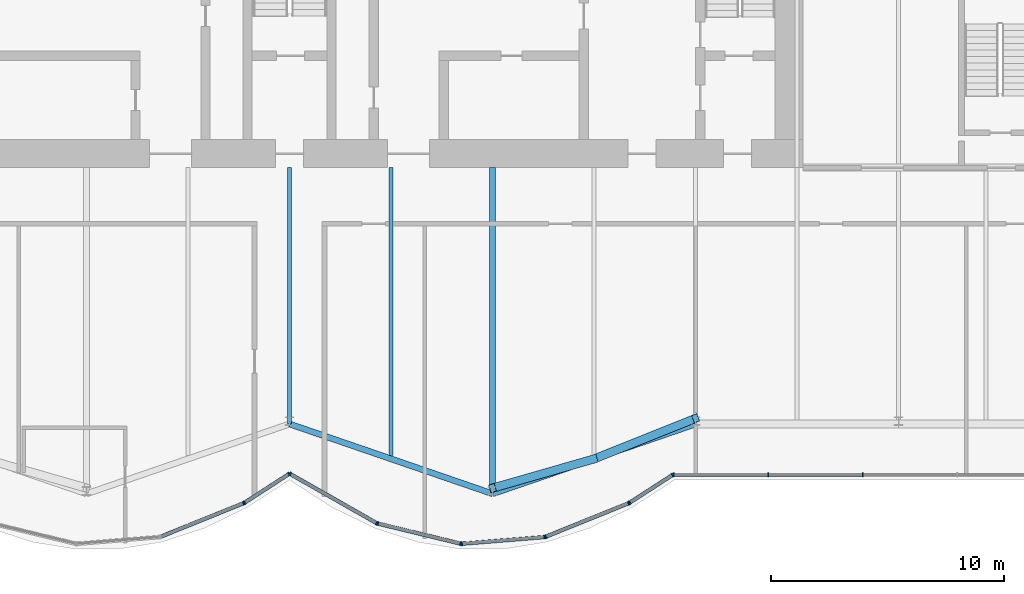
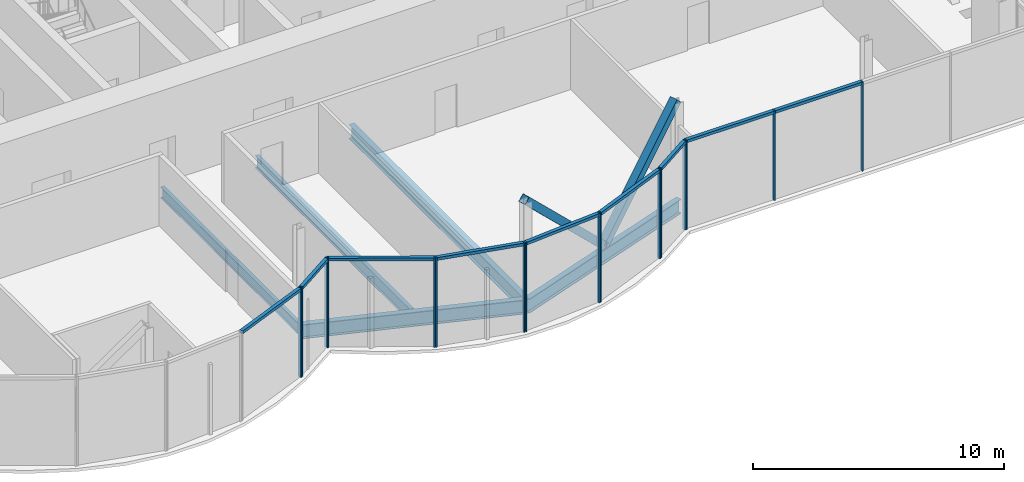
# One storey, part 8 of 18: 27 members, 5 beams, 3 elements without a shape of their own.
"""IFC4 building model written with IfcOpenShell, lengths in metres."""

import ifcopenshell
import ifcopenshell.guid

model = None  # the IFC model being written
_history = None  # IfcOwnerHistory: only IFC2X3 demands one
_inside = {}  # id of a spatial element -> (the spatial element, [elements in it])
_under = {}  # id of a project, library or spatial element -> (it, [spatial elements below it])
_declared = {}  # id of a project -> (the project, [libraries it declares])
_typed = {}  # id of a type object -> (the type object, [elements of that type])
_made_of = {}  # id of a material, layer set ... -> (it, [elements and type objects made of it])


def new_model(schema):
    """Start an empty IFC model of exactly this schema.

    Asked for "IFC4X3", IfcOpenShell would pick the latest addendum, in which some entities
    have other attributes; the version numbers below select the first issue.
    IFC2X3 requires an IfcOwnerHistory on every rooted entity: one is made here for all.
    """
    global model, _history
    if schema == "IFC4X3":
        model = ifcopenshell.file(schema_version=(4, 3, 0, 0))
    else:
        model = ifcopenshell.file(schema=schema)
    _inside.clear()
    _under.clear()
    _declared.clear()
    _typed.clear()
    _made_of.clear()
    _history = None
    if model.schema == "IFC2X3":
        org = make("IfcOrganization", Name="unknown")
        user = make(
            "IfcPersonAndOrganization",
            ThePerson=make("IfcPerson", FamilyName="unknown"),
            TheOrganization=org,
        )
        app = make(
            "IfcApplication",
            ApplicationDeveloper=org,
            Version="unknown",
            ApplicationFullName="unknown",
            ApplicationIdentifier="unknown",
        )
        _history = make(
            "IfcOwnerHistory",
            OwningUser=user,
            OwningApplication=app,
            ChangeAction="ADDED",
            CreationDate=0,
        )
    return model


def make(cls, **values):
    """One entity of the class cls with the attributes given. An attribute that is None is left unset."""
    return model.create_entity(
        cls, **{name: value for name, value in values.items() if value is not None}
    )


def rooted(cls, **values):
    """An entity with a GlobalId (a new one), such as an element, a storey or a relation."""
    return make(cls, GlobalId=ifcopenshell.guid.new(), OwnerHistory=_history, **values)


def si_unit(unit_type, name, prefix=None):
    """IfcSIUnit, for example si_unit("LENGTHUNIT", "METRE", prefix="MILLI")."""
    return make("IfcSIUnit", UnitType=unit_type, Prefix=prefix, Name=name)


def assignment(units):
    """IfcUnitAssignment: the units of a project."""
    return None if units is None else make("IfcUnitAssignment", Units=units)


def point(xyz):
    """IfcCartesianPoint."""
    return None if xyz is None else make("IfcCartesianPoint", Coordinates=xyz)


def direction(xyz):
    """IfcDirection."""
    return None if xyz is None else make("IfcDirection", DirectionRatios=xyz)


def frame(location, z_axis=None, x_axis=None):
    """IfcAxis2Placement3D, a coordinate frame: its origin and axes. An axis left out is left unset."""
    return make(
        "IfcAxis2Placement3D",
        Location=point(location),
        Axis=direction(z_axis),
        RefDirection=direction(x_axis),
    )


def frame_2d(location, x_axis=None):
    """IfcAxis2Placement2D, a coordinate frame in the plane: its origin and x axis."""
    return make(
        "IfcAxis2Placement2D", Location=point(location), RefDirection=direction(x_axis)
    )


def origin():
    """The frame at (0, 0, 0) with its axes left unset."""
    return frame((0.0, 0.0, 0.0))


def origin_2d():
    """The frame at (0, 0) in the plane with its x axis left unset."""
    return frame_2d((0.0, 0.0))


def place(relative_to, where):
    """IfcLocalPlacement: puts the frame where relative to a parent placement (None: the world)."""
    return make(
        "IfcLocalPlacement", PlacementRelTo=relative_to, RelativePlacement=where
    )


def context(
    kind, dimensions, precision=None, world=None, true_north=None, identifier=None
):
    """IfcGeometricRepresentationContext, for example the 3D "Model" context."""
    return make(
        "IfcGeometricRepresentationContext",
        ContextIdentifier=identifier,
        ContextType=kind,
        CoordinateSpaceDimension=dimensions,
        Precision=precision,
        WorldCoordinateSystem=world,
        TrueNorth=true_north,
    )


def subcontext(parent, identifier, kind, view, scale=None):
    """IfcGeometricRepresentationSubContext, for example "Body" below "Model"."""
    return make(
        "IfcGeometricRepresentationSubContext",
        ContextIdentifier=identifier,
        ContextType=kind,
        ParentContext=parent,
        TargetScale=scale,
        TargetView=view,
    )


def project(units=None, contexts=None):
    """IfcProject with its units and contexts."""
    return rooted(
        "IfcProject",
        Name="project",
        RepresentationContexts=contexts,
        UnitsInContext=assignment(units),
    )


def spatial(cls, under=None, at=None, **own):
    """A site, building, storey or space (cls), placed at a placement, below another one or the project."""
    s = rooted(cls, ObjectPlacement=at, **own)
    if under is not None:
        _under.setdefault(under.id(), (under, []))[1].append(s)
    return s


def profile(cls, at=None, kind="AREA", **sizes):
    """A parametric profile (cls). Its sizes go by their IFC names, for example OverallWidth=200.0."""
    return make(cls, ProfileType=kind, Position=at, **sizes)


def rectangle(**sizes):
    """IfcRectangleProfileDef."""
    return profile("IfcRectangleProfileDef", **sizes)


def hollow_rectangle(**sizes):
    """IfcRectangleHollowProfileDef."""
    return profile("IfcRectangleHollowProfileDef", **sizes)


def i_section(**sizes):
    """IfcIShapeProfileDef."""
    return profile("IfcIShapeProfileDef", **sizes)


def extrude(swept, where, along, depth):
    """IfcExtrudedAreaSolid: the profile swept, set in the frame where, extruded along a direction by depth."""
    return make(
        "IfcExtrudedAreaSolid",
        SweptArea=swept,
        Position=where,
        ExtrudedDirection=direction(along),
        Depth=depth,
    )


def shape(context_of_items, identifier, shape_type, items):
    """IfcShapeRepresentation: the items that make up one representation, for example the "Body"."""
    return make(
        "IfcShapeRepresentation",
        ContextOfItems=context_of_items,
        RepresentationIdentifier=identifier,
        RepresentationType=shape_type,
        Items=items,
    )


def material(Name=None, Category=None):
    """IfcMaterial."""
    return make("IfcMaterial", Name=Name, Category=Category)


def material_profile(
    of_material, cross_section, Name=None, Category=None, Priority=None
):
    """IfcMaterialProfile: a cross section and its material."""
    return make(
        "IfcMaterialProfile",
        Name=Name,
        Material=of_material,
        Profile=cross_section,
        Priority=Priority,
        Category=Category,
    )


def profile_set(profiles, Name=None, composite=None):
    """IfcMaterialProfileSet."""
    return make(
        "IfcMaterialProfileSet",
        Name=Name,
        MaterialProfiles=profiles,
        CompositeProfile=composite,
    )


def made_of(thing, what):
    """Note that an element or type object is made of a material, layer set ...; save() writes the relation."""
    if what is not None:
        _made_of.setdefault(what.id(), (what, []))[1].append(thing)
    return thing


def type_object(cls, material=None, **own):
    """A type object (cls), such as IfcWallType, which elements share."""
    return made_of(rooted(cls, **own), material)


def element(
    cls,
    number,
    at=None,
    inside=None,
    cuts=None,
    type_object=None,
    material=None,
    context=None,
    identifier="Body",
    shape_type=None,
    held_by="IfcProductDefinitionShape",
    body=None,
    shapes=None,
    **own,
):
    """One element of the class cls, such as IfcWall. Its Tag is "e" and its number.

    at: its placement. inside: the storey or other place that contains it. cuts: it is an
    opening in that element (IfcRelVoidsElement). A single representation is given by context,
    identifier, shape_type and body (its items); several are given by shapes. held_by: the class
    of the entity that holds the representations. save() writes the other relations.
    """
    e = rooted(cls, Tag="e%d" % number, ObjectPlacement=at, **own)
    if body is not None:
        shapes = [shape(context, identifier, shape_type, body)]
    if shapes is not None:
        e.Representation = make(held_by, Representations=shapes)
    if inside is not None:
        _inside.setdefault(inside.id(), (inside, []))[1].append(e)
    if cuts is not None:
        rooted(
            "IfcRelVoidsElement", RelatingBuildingElement=cuts, RelatedOpeningElement=e
        )
    if type_object is not None:
        _typed.setdefault(type_object.id(), (type_object, []))[1].append(e)
    return made_of(e, material)


def aggregate(whole, parts):
    """IfcRelAggregates: a whole, such as a stair, and the parts it consists of."""
    return rooted("IfcRelAggregates", RelatingObject=whole, RelatedObjects=parts)


def save(model, path):
    """Write the relations noted so far, then the file.

    IfcRelAggregates (storeys below a building ...), IfcRelContainedInSpatialStructure (elements
    in a storey), IfcRelDefinesByType, IfcRelAssociatesMaterial and IfcRelDeclares: one each for
    every whole, place, type object, material and project.
    """
    for whole, parts in _under.values():
        aggregate(whole, parts)
    for where, things in _inside.values():
        rooted(
            "IfcRelContainedInSpatialStructure",
            RelatedElements=things,
            RelatingStructure=where,
        )
    for kind, things in _typed.values():
        rooted("IfcRelDefinesByType", RelatedObjects=things, RelatingType=kind)
    for what, things in _made_of.values():
        rooted("IfcRelAssociatesMaterial", RelatedObjects=things, RelatingMaterial=what)
    for by, libraries in _declared.values():
        rooted("IfcRelDeclares", RelatingContext=by, RelatedDefinitions=libraries)
    model.write(path)


model = new_model("IFC4")

# Units and contexts
model_context = context("Model", 3, precision=1e-05, world=origin(), true_north=direction((0.0, 1.0)))
body_context = subcontext(model_context, "Body", "Model", "MODEL_VIEW")
ifc_project = project(units=[si_unit("LENGTHUNIT", "METRE"), si_unit("AREAUNIT", "SQUARE_METRE"), si_unit("VOLUMEUNIT", "CUBIC_METRE"), si_unit("PLANEANGLEUNIT", "RADIAN"), si_unit("MASSUNIT", "GRAM", prefix="KILO")], contexts=[model_context])

# Site, building, storey
site_placement = place(None, origin())
site = spatial("IfcSite", under=ifc_project, at=site_placement, CompositionType="ELEMENT")
building_placement = place(site_placement, origin())
building = spatial("IfcBuilding", under=site, at=building_placement, Name="Bicima Exchange Tower", CompositionType="ELEMENT")
storey_placement = place(building_placement, frame((0.0, 0.0, 311.0)))
storey = spatial("IfcBuildingStorey", under=building, at=storey_placement, Name="L70", CompositionType="ELEMENT", Elevation=311.0)

# Beams
ifc_material_1 = material(Name="Steel ASTM A992 Gr 50", Category="steel")
ifc_material_profile_1 = material_profile(ifc_material_1, i_section(OverallWidth=0.165771484375, OverallDepth=0.5283203125, WebThickness=0.009765625, FlangeThickness=0.013671875, at=origin_2d()))
ifc_profile_set_1 = profile_set([ifc_material_profile_1], Name="Steel ASTM A992 Gr 50")
beam_type_1 = type_object("IfcBeamType", Name="Floor beam W21x50", PredefinedType="JOIST", material=ifc_profile_set_1)
beam_1_placement = place(storey_placement, frame((0.0, -13.0, -0.414306640625), z_axis=(0.0, -1.0, 0.0), x_axis=(1.0, 0.0, 0.0)))
element("IfcBeam", 1, at=beam_1_placement, inside=storey, type_object=beam_type_1, Name="Floor beam", PredefinedType="JOIST", context=body_context, shape_type="SweptSolid", body=[
    extrude(i_section(OverallWidth=0.165771484375, OverallDepth=0.5283203125, WebThickness=0.009765625, FlangeThickness=0.013671875, at=origin_2d()), origin(), (0.0, 0.0, 1.0), 10.98388671875),
])
ifc_material_profile_2 = material_profile(ifc_material_1, i_section(OverallWidth=0.177978515625, OverallDepth=0.599365234375, WebThickness=0.010009765625, FlangeThickness=0.012939453125, at=origin_2d()))
ifc_profile_set_2 = profile_set([ifc_material_profile_2], Name="Steel ASTM A992 Gr 50")
beam_type_2 = type_object("IfcBeamType", Name="Floor beam W24x55", PredefinedType="JOIST", material=ifc_profile_set_2)
beam_2_placement = place(storey_placement, frame((4.35009765625, -13.0, -0.44970703125), z_axis=(0.0, -1.0, 0.0), x_axis=(1.0, 0.0, 0.0)))
element("IfcBeam", 2, at=beam_2_placement, inside=storey, type_object=beam_type_2, Name="Floor beam", PredefinedType="JOIST", context=body_context, shape_type="SweptSolid", body=[
    extrude(i_section(OverallWidth=0.177978515625, OverallDepth=0.599365234375, WebThickness=0.010009765625, FlangeThickness=0.012939453125, at=origin_2d()), origin(), (0.0, 0.0, 1.0), 12.343994140625),
])
ifc_material_profile_3 = material_profile(ifc_material_1, i_section(OverallWidth=0.25390625, OverallDepth=0.67822265625, WebThickness=0.01171875, FlangeThickness=0.016357421875, at=origin_2d()))
ifc_profile_set_3 = profile_set([ifc_material_profile_3], Name="Steel ASTM A992 Gr 50")
beam_type_3 = type_object("IfcBeamType", Name="Floor beam W27x84", PredefinedType="JOIST", material=ifc_profile_set_3)
beam_3_placement = place(storey_placement, frame((8.699951171875, -13.0, -0.489013671875), z_axis=(0.0, -1.0, 0.0), x_axis=(1.0, 0.0, 0.0)))
element("IfcBeam", 3, at=beam_3_placement, inside=storey, type_object=beam_type_3, Name="Floor beam", PredefinedType="JOIST", context=body_context, shape_type="SweptSolid", body=[
    extrude(i_section(OverallWidth=0.25390625, OverallDepth=0.67822265625, WebThickness=0.01171875, FlangeThickness=0.016357421875, at=origin_2d()), origin(), (0.0, 0.0, 1.0), 13.83935546875),
])
ifc_material_profile_4 = material_profile(ifc_material_1, i_section(OverallWidth=0.256591796875, OverallDepth=0.693359375, WebThickness=0.014404296875, FlangeThickness=0.023681640625, at=origin_2d()))
ifc_profile_set_4 = profile_set([ifc_material_profile_4], Name="Steel ASTM A992 Gr 50")
beam_type_4 = type_object("IfcBeamType", Name="Front girder W27x114", PredefinedType="BEAM", material=ifc_profile_set_4)
for number, where, z_axis, x_axis, name in (
    (4, (0.0, -23.98388671875, -0.49658203125), (0.945666456746, -0.325138359143, 0.0), (0.325138359143, 0.945666456746, 0.0), "Front girder"),
    (5, (8.699951171875, -26.97509765625, -0.49658203125), (0.945666456746, 0.325138359143, 0.0), (-0.325138359143, 0.945666456746, 0.0), "Front girder"),
):
    element("IfcBeam", number, at=place(storey_placement, frame(where, z_axis=z_axis, x_axis=x_axis)), inside=storey, type_object=beam_type_4, Name=name, PredefinedType="BEAM", context=body_context, shape_type="SweptSolid", body=[
        extrude(i_section(OverallWidth=0.256591796875, OverallDepth=0.693359375, WebThickness=0.014404296875, FlangeThickness=0.023681640625, at=origin_2d()), origin(), (0.0, 0.0, 1.0), 9.19970703125),
    ])

# Curtain wall, members
ifc_material_2 = material(Name="Anodised bronze aluminium", Category="aluminium")
curtain_wall_type = type_object("IfcCurtainWallType", Name="Front glass wall", PredefinedType="NOTDEFINED", material=ifc_material_2)
curtain_wall_1_placement = place(storey_placement, origin())
curtain_wall_1 = element("IfcCurtainWall", 6, at=curtain_wall_1_placement, inside=storey, type_object=curtain_wall_type, Name="Front glass wall L70 run 6", PredefinedType="NOTDEFINED")
ifc_material_profile_5 = material_profile(ifc_material_2, rectangle(XDim=0.159912109375, YDim=0.06005859375, at=origin_2d()))
ifc_profile_set_5 = profile_set([ifc_material_profile_5], Name="Anodised bronze aluminium")
member_type_1 = type_object("IfcMemberType", Name="Front glass wall mullion 60 x 160", PredefinedType="MULLION", material=ifc_profile_set_5)
member_1_placement = place(storey_placement, frame((-1.97412109375, -27.379638671875, 0.0), z_axis=(0.0, 0.0, 1.0), x_axis=(-0.374705304, 0.92714396679, 0.0)))
member_1 = element("IfcMember", 7, at=member_1_placement, type_object=member_type_1, Name="Front glass wall mullion 2", PredefinedType="MULLION", context=body_context, shape_type="SweptSolid", body=[
    extrude(rectangle(XDim=0.159912109375, YDim=0.06005859375, at=origin_2d()), origin(), (0.0, 0.0, 1.0), 4.35009765625),
])
member_2_placement = place(storey_placement, frame((-1.921142578125, -27.35205078125, 0.0), z_axis=(0.0, 0.0, 1.0), x_axis=(-0.542897457326, 0.839798994301, 0.0)))
member_2 = element("IfcMember", 8, at=member_2_placement, type_object=member_type_1, Name="Front glass wall mullion 1", PredefinedType="MULLION", context=body_context, shape_type="SweptSolid", body=[
    extrude(rectangle(XDim=0.159912109375, YDim=0.06005859375, at=origin_2d()), origin(), (0.0, 0.0, 1.0), 4.35009765625),
])
member_3_placement = place(storey_placement, frame((-0.025146484375, -26.12646484375, 0.0), z_axis=(0.0, 0.0, 1.0), x_axis=(-0.542897457326, 0.839798994301, 0.0)))
member_3 = element("IfcMember", 9, at=member_3_placement, type_object=member_type_1, Name="Front glass wall mullion 2", PredefinedType="MULLION", context=body_context, shape_type="SweptSolid", body=[
    extrude(rectangle(XDim=0.159912109375, YDim=0.06005859375, at=origin_2d()), origin(), (0.0, 0.0, 1.0), 4.35009765625),
])

curtain_wall_2_placement = place(storey_placement, origin())
curtain_wall_2 = element("IfcCurtainWall", 10, at=curtain_wall_2_placement, inside=storey, type_object=curtain_wall_type, Name="Front glass wall L70 run 11", PredefinedType="NOTDEFINED")
member_4_placement = place(storey_placement, frame((0.026123046875, -26.125, 0.0), z_axis=(0.0, 0.0, 1.0), x_axis=(0.494330311331, 0.869274147378, 0.0)))
member_4 = element("IfcMember", 11, at=member_4_placement, type_object=member_type_1, Name="Front glass wall mullion 1", PredefinedType="MULLION", context=body_context, shape_type="SweptSolid", body=[
    extrude(rectangle(XDim=0.159912109375, YDim=0.06005859375, at=origin_2d()), origin(), (0.0, 0.0, 1.0), 4.35009765625),
])
member_5_placement = place(storey_placement, frame((3.7265625, -28.2294921875, 0.0), z_axis=(0.0, 0.0, 1.0), x_axis=(0.494330311331, 0.869274147378, 0.0)))
member_5 = element("IfcMember", 12, at=member_5_placement, type_object=member_type_1, Name="Front glass wall mullion 2", PredefinedType="MULLION", context=body_context, shape_type="SweptSolid", body=[
    extrude(rectangle(XDim=0.159912109375, YDim=0.06005859375, at=origin_2d()), origin(), (0.0, 0.0, 1.0), 4.35009765625),
])
member_6_placement = place(storey_placement, frame((3.781982421875, -28.251220703125, 0.0), z_axis=(0.0, 0.0, 1.0), x_axis=(0.235681529503, 0.971830343553, 0.0)))
member_6 = element("IfcMember", 13, at=member_6_placement, type_object=member_type_1, Name="Front glass wall mullion 1", PredefinedType="MULLION", context=body_context, shape_type="SweptSolid", body=[
    extrude(rectangle(XDim=0.159912109375, YDim=0.06005859375, at=origin_2d()), origin(), (0.0, 0.0, 1.0), 4.35009765625),
])
member_7_placement = place(storey_placement, frame((7.322509765625, -29.10986328125, 0.0), z_axis=(0.0, 0.0, 1.0), x_axis=(0.235681529503, 0.971830343553, 0.0)))
member_7 = element("IfcMember", 14, at=member_7_placement, type_object=member_type_1, Name="Front glass wall mullion 2", PredefinedType="MULLION", context=body_context, shape_type="SweptSolid", body=[
    extrude(rectangle(XDim=0.159912109375, YDim=0.06005859375, at=origin_2d()), origin(), (0.0, 0.0, 1.0), 4.35009765625),
])
member_8_placement = place(storey_placement, frame((7.381591796875, -29.114501953125, 0.0), z_axis=(0.0, 0.0, 1.0), x_axis=(-0.080588612633, 0.99674744821, 0.0)))
member_8 = element("IfcMember", 15, at=member_8_placement, type_object=member_type_1, Name="Front glass wall mullion 1", PredefinedType="MULLION", context=body_context, shape_type="SweptSolid", body=[
    extrude(rectangle(XDim=0.159912109375, YDim=0.06005859375, at=origin_2d()), origin(), (0.0, 0.0, 1.0), 4.35009765625),
])
member_9_placement = place(storey_placement, frame((10.916015625, -28.828857421875, 0.0), z_axis=(0.0, 0.0, 1.0), x_axis=(-0.080588612633, 0.99674744821, 0.0)))
member_9 = element("IfcMember", 16, at=member_9_placement, type_object=member_type_1, Name="Front glass wall mullion 2", PredefinedType="MULLION", context=body_context, shape_type="SweptSolid", body=[
    extrude(rectangle(XDim=0.159912109375, YDim=0.06005859375, at=origin_2d()), origin(), (0.0, 0.0, 1.0), 4.35009765625),
])
member_10_placement = place(storey_placement, frame((10.973876953125, -28.815185546875, 0.0), z_axis=(0.0, 0.0, 1.0), x_axis=(-0.374705304, 0.92714396679, 0.0)))
member_10 = element("IfcMember", 17, at=member_10_placement, type_object=member_type_1, Name="Front glass wall mullion 1", PredefinedType="MULLION", context=body_context, shape_type="SweptSolid", body=[
    extrude(rectangle(XDim=0.159912109375, YDim=0.06005859375, at=origin_2d()), origin(), (0.0, 0.0, 1.0), 4.35009765625),
])
member_11_placement = place(storey_placement, frame((14.52587890625, -27.379638671875, 0.0), z_axis=(0.0, 0.0, 1.0), x_axis=(-0.374705304, 0.92714396679, 0.0)))
member_11 = element("IfcMember", 18, at=member_11_placement, type_object=member_type_1, Name="Front glass wall mullion 2", PredefinedType="MULLION", context=body_context, shape_type="SweptSolid", body=[
    extrude(rectangle(XDim=0.159912109375, YDim=0.06005859375, at=origin_2d()), origin(), (0.0, 0.0, 1.0), 4.35009765625),
])
member_12_placement = place(storey_placement, frame((14.578857421875, -27.35205078125, 0.0), z_axis=(0.0, 0.0, 1.0), x_axis=(-0.542909183079, 0.839791413941, 0.0)))
member_12 = element("IfcMember", 19, at=member_12_placement, type_object=member_type_1, Name="Front glass wall mullion 1", PredefinedType="MULLION", context=body_context, shape_type="SweptSolid", body=[
    extrude(rectangle(XDim=0.159912109375, YDim=0.06005859375, at=origin_2d()), origin(), (0.0, 0.0, 1.0), 4.35009765625),
])
member_13_placement = place(storey_placement, frame((16.406982421875, -26.17041015625, 0.0), z_axis=(0.0, 0.0, 1.0), x_axis=(-0.542909183079, 0.839791413941, 0.0)))
member_13 = element("IfcMember", 20, at=member_13_placement, type_object=member_type_1, Name="Front glass wall mullion 2", PredefinedType="MULLION", context=body_context, shape_type="SweptSolid", body=[
    extrude(rectangle(XDim=0.159912109375, YDim=0.06005859375, at=origin_2d()), origin(), (0.0, 0.0, 1.0), 4.35009765625),
])

curtain_wall_3_placement = place(storey_placement, origin())
curtain_wall_3 = element("IfcCurtainWall", 21, at=curtain_wall_3_placement, inside=storey, type_object=curtain_wall_type, Name="Front glass wall L70 run 16", PredefinedType="NOTDEFINED")
member_14_placement = place(storey_placement, frame((16.462158203125, -26.154052734375, 0.0), z_axis=(0.0, 0.0, 1.0), x_axis=(0.0, 1.0, 0.0)))
member_14 = element("IfcMember", 22, at=member_14_placement, type_object=member_type_1, Name="Front glass wall mullion 1", PredefinedType="MULLION", context=body_context, shape_type="SweptSolid", body=[
    extrude(rectangle(XDim=0.159912109375, YDim=0.06005859375, at=origin_2d()), origin(), (0.0, 0.0, 1.0), 4.35009765625),
])
member_15_placement = place(storey_placement, frame((20.51171875, -26.154052734375, 0.0), z_axis=(0.0, 0.0, 1.0), x_axis=(0.0, 1.0, 0.0)))
member_15 = element("IfcMember", 23, at=member_15_placement, type_object=member_type_1, Name="Front glass wall mullion 2", PredefinedType="MULLION", context=body_context, shape_type="SweptSolid", body=[
    extrude(rectangle(XDim=0.159912109375, YDim=0.06005859375, at=origin_2d()), origin(), (0.0, 0.0, 1.0), 4.35009765625),
])
member_16_placement = place(storey_placement, frame((24.56103515625, -26.154052734375, 0.0), z_axis=(0.0, 0.0, 1.0), x_axis=(0.0, 1.0, 0.0)))
member_16 = element("IfcMember", 24, at=member_16_placement, type_object=member_type_1, Name="Front glass wall mullion 3", PredefinedType="MULLION", context=body_context, shape_type="SweptSolid", body=[
    extrude(rectangle(XDim=0.159912109375, YDim=0.06005859375, at=origin_2d()), origin(), (0.0, 0.0, 1.0), 4.35009765625),
])

# Member
ifc_material_profile_6 = material_profile(ifc_material_2, rectangle(XDim=0.159912109375, YDim=0.139892578125, at=origin_2d()))
ifc_profile_set_6 = profile_set([ifc_material_profile_6], Name="Anodised bronze aluminium")
member_type_2 = type_object("IfcMemberType", Name="Front glass wall transom 140 x 160", PredefinedType="USERDEFINED", material=ifc_profile_set_6)
member_17_placement = place(storey_placement, frame((-5.498291015625, -28.803955078125, 4.280029296875), z_axis=(0.927140215882, 0.374714584842, 0.0), x_axis=(-0.374714584842, 0.927140215882, 0.0)))
member_17 = element("IfcMember", 25, at=member_17_placement, type_object=member_type_2, Name="Front glass wall transom 1.1", ObjectType="TRANSOM", PredefinedType="USERDEFINED", context=body_context, shape_type="SweptSolid", body=[
    extrude(rectangle(XDim=0.159912109375, YDim=0.139892578125, at=origin_2d()), origin(), (0.0, 0.0, 1.0), 3.77099609375),
])

member_18_placement = place(storey_placement, frame((-1.89599609375, -27.335693359375, 4.280029296875), z_axis=(0.839811483481, 0.542878137536, 0.0), x_axis=(-0.542878137536, 0.839811483481, 0.0)))
member_18 = element("IfcMember", 26, at=member_18_placement, type_object=member_type_2, Name="Front glass wall transom 1.1", ObjectType="TRANSOM", PredefinedType="USERDEFINED", context=body_context, shape_type="SweptSolid", body=[
    extrude(rectangle(XDim=0.159912109375, YDim=0.139892578125, at=origin_2d()), origin(), (0.0, 0.0, 1.0), 2.19775390625),
])

aggregate(curtain_wall_1, [member_1, member_17, member_2, member_3, member_18])

member_19_placement = place(storey_placement, frame((0.05224609375, -26.139892578125, 4.280029296875), z_axis=(0.869265121745, -0.494346182466, 0.0), x_axis=(0.494346182466, 0.869265121745, 0.0)))
member_19 = element("IfcMember", 27, at=member_19_placement, type_object=member_type_2, Name="Front glass wall transom 1.1", ObjectType="TRANSOM", PredefinedType="USERDEFINED", context=body_context, shape_type="SweptSolid", body=[
    extrude(rectangle(XDim=0.159912109375, YDim=0.139892578125, at=origin_2d()), origin(), (0.0, 0.0, 1.0), 4.19677734375),
])

member_20_placement = place(storey_placement, frame((3.81103515625, -28.25830078125, 4.280029296875), z_axis=(0.971833557815, -0.235668275132, 0.0), x_axis=(0.235668275132, 0.971833557815, 0.0)))
member_20 = element("IfcMember", 28, at=member_20_placement, type_object=member_type_2, Name="Front glass wall transom 1.1", ObjectType="TRANSOM", PredefinedType="USERDEFINED", context=body_context, shape_type="SweptSolid", body=[
    extrude(rectangle(XDim=0.159912109375, YDim=0.139892578125, at=origin_2d()), origin(), (0.0, 0.0, 1.0), 3.583251953125),
])

member_21_placement = place(storey_placement, frame((7.41162109375, -29.1123046875, 4.280029296875), z_axis=(0.9967456465, 0.080610893699, 0.0), x_axis=(-0.080610893699, 0.9967456465, 0.0)))
member_21 = element("IfcMember", 29, at=member_21_placement, type_object=member_type_2, Name="Front glass wall transom 1.1", ObjectType="TRANSOM", PredefinedType="USERDEFINED", context=body_context, shape_type="SweptSolid", body=[
    extrude(rectangle(XDim=0.159912109375, YDim=0.139892578125, at=origin_2d()), origin(), (0.0, 0.0, 1.0), 3.48583984375),
])

member_22_placement = place(storey_placement, frame((11.001708984375, -28.803955078125, 4.280029296875), z_axis=(0.927140215882, 0.374714584842, 0.0), x_axis=(-0.374714584842, 0.927140215882, 0.0)))
member_22 = element("IfcMember", 30, at=member_22_placement, type_object=member_type_2, Name="Front glass wall transom 1.1", ObjectType="TRANSOM", PredefinedType="USERDEFINED", context=body_context, shape_type="SweptSolid", body=[
    extrude(rectangle(XDim=0.159912109375, YDim=0.139892578125, at=origin_2d()), origin(), (0.0, 0.0, 1.0), 3.77099609375),
])

member_23_placement = place(storey_placement, frame((14.60400390625, -27.335693359375, 4.280029296875), z_axis=(0.839792890287, 0.542906899407, 0.0), x_axis=(-0.542906899407, 0.839792890287, 0.0)))
member_23 = element("IfcMember", 31, at=member_23_placement, type_object=member_type_2, Name="Front glass wall transom 1.1", ObjectType="TRANSOM", PredefinedType="USERDEFINED", context=body_context, shape_type="SweptSolid", body=[
    extrude(rectangle(XDim=0.159912109375, YDim=0.139892578125, at=origin_2d()), origin(), (0.0, 0.0, 1.0), 2.11669921875),
])

aggregate(curtain_wall_2, [member_4, member_5, member_19, member_6, member_7, member_20, member_8, member_9, member_21, member_10, member_11, member_22, member_12, member_13, member_23])

member_24_placement = place(storey_placement, frame((16.4921875, -26.154052734375, 4.280029296875), z_axis=(1.0, 0.0, 0.0), x_axis=(0.0, 1.0, 0.0)))
member_24 = element("IfcMember", 32, at=member_24_placement, type_object=member_type_2, Name="Front glass wall transom 1.1", ObjectType="TRANSOM", PredefinedType="USERDEFINED", context=body_context, shape_type="SweptSolid", body=[
    extrude(rectangle(XDim=0.159912109375, YDim=0.139892578125, at=origin_2d()), origin(), (0.0, 0.0, 1.0), 3.989501953125),
])

member_25_placement = place(storey_placement, frame((20.54150390625, -26.154052734375, 4.280029296875), z_axis=(1.0, 0.0, 0.0), x_axis=(0.0, 1.0, 0.0)))
member_25 = element("IfcMember", 33, at=member_25_placement, type_object=member_type_2, Name="Front glass wall transom 2.1", ObjectType="TRANSOM", PredefinedType="USERDEFINED", context=body_context, shape_type="SweptSolid", body=[
    extrude(rectangle(XDim=0.159912109375, YDim=0.139892578125, at=origin_2d()), origin(), (0.0, 0.0, 1.0), 3.989501953125),
])

aggregate(curtain_wall_3, [member_14, member_15, member_16, member_24, member_25])

# Members
ifc_material_3 = material(Name="Steel ASTM A572 Gr 50", Category="steel")
ifc_material_profile_7 = material_profile(ifc_material_3, hollow_rectangle(XDim=0.355712890625, YDim=0.355712890625, WallThickness=0.01171875, at=origin_2d()))
ifc_profile_set_7 = profile_set([ifc_material_profile_7], Name="Steel ASTM A572 Gr 50")
member_type_3 = type_object("IfcMemberType", Name="Mega brace HSS14x14x1/2", PredefinedType="BRACE", material=ifc_profile_set_7)
member_26_placement = place(storey_placement, frame((13.050048828125, -25.4794921875, 0.0), z_axis=(0.669627633412, 0.267783402821, 0.692741569234), x_axis=(-0.371309808925, 0.928509033772, 0.0)))
element("IfcMember", 34, at=member_26_placement, inside=storey, type_object=member_type_3, Name="Mega brace front", PredefinedType="BRACE", context=body_context, shape_type="SweptSolid", body=[
    extrude(hollow_rectangle(XDim=0.355712890625, YDim=0.355712890625, WallThickness=0.01171875, at=origin_2d()), origin(), (0.0, 0.0, 1.0), 6.495849609375),
])
member_27_placement = place(storey_placement, frame((13.050048828125, -25.4794921875, 0.0), z_axis=(-0.681534473108, -0.196106591291, 0.705019834343), x_axis=(0.276522876258, -0.961007335511, 0.0)))
element("IfcMember", 35, at=member_27_placement, inside=storey, type_object=member_type_3, Name="Mega brace front", PredefinedType="BRACE", context=body_context, shape_type="SweptSolid", body=[
    extrude(hollow_rectangle(XDim=0.355712890625, YDim=0.355712890625, WallThickness=0.01171875, at=origin_2d()), origin(), (0.0, 0.0, 1.0), 6.3828125),
])

save(model, "model.ifc")
